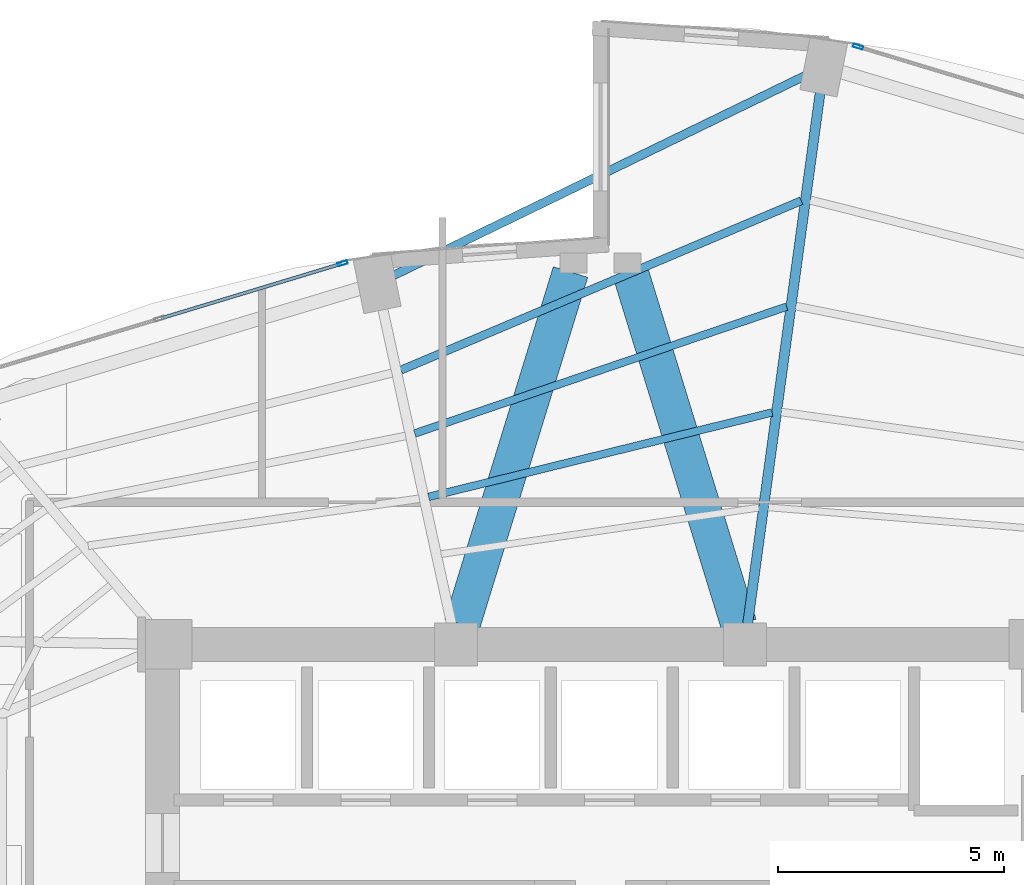
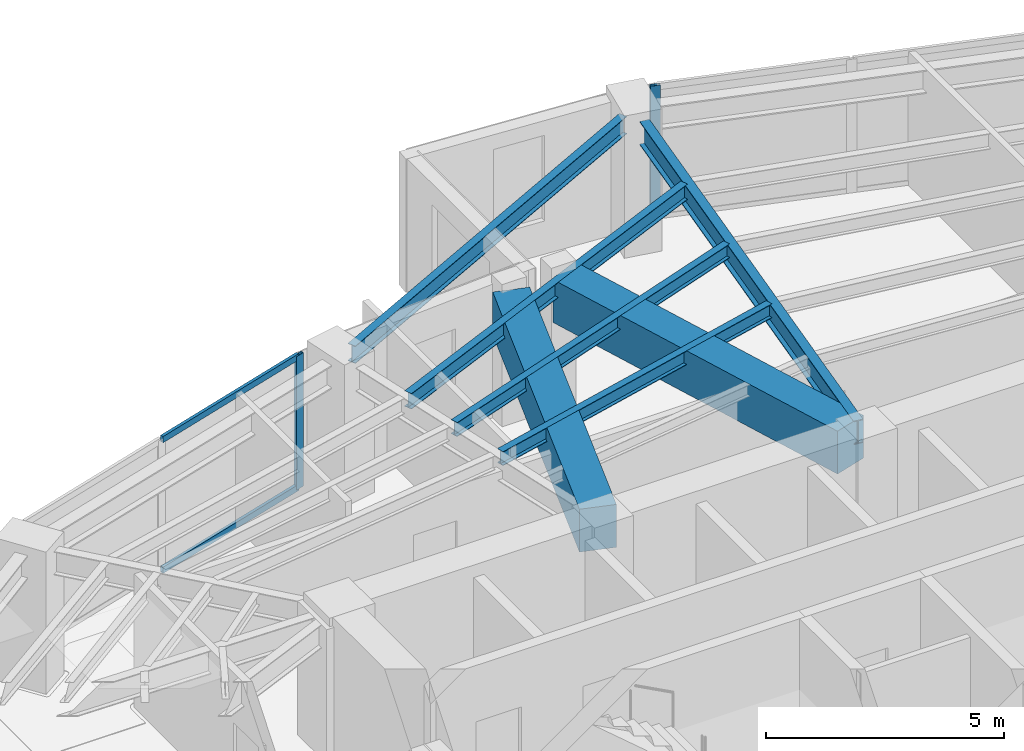
# One storey, part 15 of 23: 7 beams, 4 members, 2 elements without a shape of their own.
"""IFC4 building model written with IfcOpenShell, lengths in metres."""

from ifc_helpers import new_model, si_unit, direction, frame, origin, origin_2d, place, context, subcontext, project, spatial, rectangle, hollow_rectangle, i_section, extrude, material, layer, layer_set, material_profile, profile_set, type_object, element, aggregate, save


model = new_model("IFC4")

# Units and contexts
model_context = context("Model", 3, precision=1e-05, world=origin(), true_north=direction((0.0, 1.0)))
body_context = subcontext(model_context, "Body", "Model", "MODEL_VIEW")
ifc_project = project(units=[si_unit("LENGTHUNIT", "METRE"), si_unit("AREAUNIT", "SQUARE_METRE"), si_unit("VOLUMEUNIT", "CUBIC_METRE"), si_unit("PLANEANGLEUNIT", "RADIAN"), si_unit("MASSUNIT", "GRAM", prefix="KILO")], contexts=[model_context])

# Site, building, storey
site_placement = place(None, origin())
site = spatial("IfcSite", under=ifc_project, at=site_placement, CompositionType="ELEMENT")
building_placement = place(site_placement, origin())
building = spatial("IfcBuilding", under=site, at=building_placement, Name="Lazwardi Medical Tower", CompositionType="ELEMENT")
storey_placement = place(building_placement, frame((0.0, 0.0, 125.52001953125)))
storey = spatial("IfcBuildingStorey", under=building, at=storey_placement, Name="L32", CompositionType="ELEMENT", Elevation=125.52001953125)

# Beams
ifc_material_1 = material(Name="Concrete C70/85", Category="concrete")
ifc_material_profile_1 = material_profile(ifc_material_1, rectangle(XDim=0.800048828125, YDim=1.10009765625, at=origin_2d()), Name="RC 800x1100")
ifc_profile_set_1 = profile_set([ifc_material_profile_1], Name="Concrete C70/85")
beam_type_1 = type_object("IfcBeamType", Name="BM-CB-RC1", PredefinedType="LINTEL", material=ifc_profile_set_1)
for number, where, z_axis, x_axis, name in (
    (1, (32.935302734375, 36.039794921875, 2.8779296875), (0.294073251002, 0.955782884888, 0.0), (-0.955782884888, 0.294073251002, 0.0), "Core coupling lintel CB-01 PL1 L32"),
    (2, (39.064697265625, 36.039794921875, 2.8779296875), (-0.294073251002, 0.955782884888, 0.0), (-0.955782884888, -0.294073251002, 0.0), "Core coupling lintel CB-01 PL2 L32"),
):
    element("IfcBeam", number, at=place(storey_placement, frame(where, z_axis=z_axis, x_axis=x_axis)), inside=storey, type_object=beam_type_1, Name=name, PredefinedType="LINTEL", context=body_context, shape_type="SweptSolid", body=[
        extrude(rectangle(XDim=0.800048828125, YDim=1.10009765625, at=origin_2d()), origin(), (0.0, 0.0, 1.0), 8.1708984375),
    ])
ifc_material_2 = material(Name="Steel S355", Category="steel")
ifc_material_profile_2 = material_profile(ifc_material_2, i_section(OverallWidth=0.219970703125, OverallDepth=0.60009765625, WebThickness=0.011962890625, FlangeThickness=0.01904296875, at=origin_2d()), Name="IPE 600")
ifc_profile_set_2 = profile_set([ifc_material_profile_2], Name="Steel S355")
beam_type_2 = type_object("IfcBeamType", Name="BM-RG-W1", PredefinedType="BEAM", material=ifc_profile_set_2)
beam_1_placement = place(storey_placement, frame((40.8671875, 47.82275390625, 3.1279296875), z_axis=(-0.135147148002, -0.990825538825, 0.0), x_axis=(0.990825538825, -0.135147148002, 0.0)))
element("IfcBeam", 3, at=beam_1_placement, inside=storey, type_object=beam_type_2, Name="Radial girder RG-02 R08 L32", PredefinedType="BEAM", context=body_context, shape_type="SweptSolid", body=[
    extrude(i_section(OverallWidth=0.219970703125, OverallDepth=0.60009765625, WebThickness=0.011962890625, FlangeThickness=0.01904296875, at=origin_2d()), origin(), (0.0, 0.0, 1.0), 11.875732421875),
])
ifc_material_profile_3 = material_profile(ifc_material_2, i_section(OverallWidth=0.179931640625, OverallDepth=0.39990234375, WebThickness=0.008544921875, FlangeThickness=0.013427734375, at=origin_2d()), Name="IPE 400")
ifc_profile_set_3 = profile_set([ifc_material_profile_3], Name="Steel S355")
beam_type_3 = type_object("IfcBeamType", Name="BM-SJ-01", PredefinedType="JOIST", material=ifc_profile_set_3)
beam_2_placement = place(storey_placement, frame((40.449462890625, 45.428466796875, 3.22802734375), z_axis=(-0.920947307957, -0.389687125739, 0.0), x_axis=(0.389687125739, -0.920947307957, 0.0)))
element("IfcBeam", 4, at=beam_2_placement, inside=storey, type_object=beam_type_3, Name="Secondary joist SJ-01 R1 B08 L32", PredefinedType="JOIST", context=body_context, shape_type="SweptSolid", body=[
    extrude(i_section(OverallWidth=0.179931640625, OverallDepth=0.39990234375, WebThickness=0.008544921875, FlangeThickness=0.013427734375, at=origin_2d()), origin(), (0.0, 0.0, 1.0), 9.63134765625),
])
ifc_material_profile_4 = material_profile(ifc_material_2, i_section(OverallWidth=0.169921875, OverallDepth=0.360107421875, WebThickness=0.008056640625, FlangeThickness=0.0126953125, at=origin_2d()), Name="IPE 360")
ifc_profile_set_4 = profile_set([ifc_material_profile_4], Name="Steel S355")
beam_type_4 = type_object("IfcBeamType", Name="BM-SJ-02", PredefinedType="JOIST", material=ifc_profile_set_4)
beam_3_placement = place(storey_placement, frame((40.125732421875, 43.08203125, 3.248046875), z_axis=(-0.946467154368, -0.322800132749, 0.0), x_axis=(0.322800132749, -0.946467154368, 0.0)))
element("IfcBeam", 5, at=beam_3_placement, inside=storey, type_object=beam_type_4, Name="Secondary joist SJ-02 R2 B08 L32", PredefinedType="JOIST", context=body_context, shape_type="SweptSolid", body=[
    extrude(i_section(OverallWidth=0.169921875, OverallDepth=0.360107421875, WebThickness=0.008056640625, FlangeThickness=0.0126953125, at=origin_2d()), origin(), (0.0, 0.0, 1.0), 8.70458984375),
])
beam_4_placement = place(storey_placement, frame((39.80224609375, 40.737548828125, 3.248046875), z_axis=(-0.97107737879, -0.238764998276, 0.0), x_axis=(0.238764998276, -0.97107737879, 0.0)))
element("IfcBeam", 6, at=beam_4_placement, inside=storey, type_object=beam_type_4, Name="Secondary joist SJ-02 R3 B08 L32", PredefinedType="JOIST", context=body_context, shape_type="SweptSolid", body=[
    extrude(i_section(OverallWidth=0.169921875, OverallDepth=0.360107421875, WebThickness=0.008056640625, FlangeThickness=0.0126953125, at=origin_2d()), origin(), (0.0, 0.0, 1.0), 7.83447265625),
])
ifc_material_profile_5 = material_profile(ifc_material_2, i_section(OverallWidth=0.18994140625, OverallDepth=0.449951171875, WebThickness=0.009521484375, FlangeThickness=0.0146484375, at=origin_2d()), Name="IPE 450")
ifc_profile_set_5 = profile_set([ifc_material_profile_5], Name="Steel S355")
beam_type_5 = type_object("IfcBeamType", Name="BM-SP-01", PredefinedType="SPANDREL", material=ifc_profile_set_5)
beam_5_placement = place(storey_placement, frame((40.57666015625, 48.218505859375, 3.202880859375), z_axis=(-0.899653336227, -0.436604941125, 0.0), x_axis=(0.436604941125, -0.899653336227, 0.0)))
element("IfcBeam", 7, at=beam_5_placement, inside=storey, type_object=beam_type_5, Name="Spandrel beam SP-01 B08 L32", PredefinedType="SPANDREL", context=body_context, shape_type="SweptSolid", body=[
    extrude(i_section(OverallWidth=0.18994140625, OverallDepth=0.449951171875, WebThickness=0.009521484375, FlangeThickness=0.0146484375, at=origin_2d()), origin(), (0.0, 0.0, 1.0), 10.17431640625),
])

# Curtain wall, member
ifc_material_3 = material(Name="Anodised bronze aluminium and solar control glazing", Category="aluminium")
ifc_layer = layer(ifc_material_3, 0.195068359375)
ifc_layer_set = layer_set([ifc_layer], Name="Anodised bronze aluminium and solar control glazing")
curtain_wall_type = type_object("IfcCurtainWallType", Name="CW-SYS-03", PredefinedType="NOTDEFINED", material=ifc_layer_set)
curtain_wall_1_placement = place(storey_placement, origin())
curtain_wall_1 = element("IfcCurtainWall", 8, at=curtain_wall_1_placement, inside=storey, type_object=curtain_wall_type, Name="L32 Unitised bronze curtain wall CW-03", PredefinedType="NOTDEFINED")
ifc_material_4 = material(Name="Anodised bronze aluminium", Category="aluminium")
ifc_material_profile_6 = material_profile(ifc_material_4, hollow_rectangle(XDim=0.074951171875, YDim=0.219970703125, WallThickness=0.00390625, at=origin_2d()), Name="ALU-MULLION 220x75x4")
ifc_profile_set_6 = profile_set([ifc_material_profile_6], Name="Anodised bronze aluminium")
member_type_1 = type_object("IfcMemberType", Name="CW-MUL-01", PredefinedType="MULLION", material=ifc_profile_set_6)
member_1_placement = place(storey_placement, frame((41.710205078125, 48.840087890625, 0.0), z_axis=(0.0, 0.0, 1.0), x_axis=(-0.28937381157, -0.957216170558, 0.0)))
member_1 = element("IfcMember", 9, at=member_1_placement, type_object=member_type_1, Name="CW-03 mullion 3", PredefinedType="MULLION", context=body_context, shape_type="SweptSolid", body=[
    extrude(hollow_rectangle(XDim=0.074951171875, YDim=0.219970703125, WallThickness=0.00390625, at=origin_2d()), origin(), (0.0, 0.0, 1.0), 3.427978515625),
])
aggregate(curtain_wall_1, [member_1])

# Curtain wall, members
curtain_wall_2_placement = place(storey_placement, origin())
curtain_wall_2 = element("IfcCurtainWall", 10, at=curtain_wall_2_placement, inside=storey, type_object=curtain_wall_type, Name="L32 Unitised bronze curtain wall CW-03", PredefinedType="NOTDEFINED")
member_2_placement = place(storey_placement, frame((30.289794921875, 44.0400390625, 0.0), z_axis=(0.0, 0.0, 1.0), x_axis=(0.28937381157, -0.957216170558, 0.0)))
member_2 = element("IfcMember", 11, at=member_2_placement, type_object=member_type_1, Name="CW-03 mullion 1", PredefinedType="MULLION", context=body_context, shape_type="SweptSolid", body=[
    extrude(hollow_rectangle(XDim=0.074951171875, YDim=0.219970703125, WallThickness=0.00390625, at=origin_2d()), origin(), (0.0, 0.0, 1.0), 3.427978515625),
])
ifc_material_profile_7 = material_profile(ifc_material_4, hollow_rectangle(XDim=0.074951171875, YDim=0.159912109375, WallThickness=0.00390625, at=origin_2d()), Name="ALU-TRANSOM 160x75x4")
ifc_profile_set_7 = profile_set([ifc_material_profile_7], Name="Anodised bronze aluminium")
member_type_2 = type_object("IfcMemberType", Name="CW-TRN-01", PredefinedType="USERDEFINED", material=ifc_profile_set_7)
member_3_placement = place(storey_placement, frame((30.25390625, 44.029296875, 0.03759765625), z_axis=(-0.957220865985, -0.289358279168, 0.0), x_axis=(0.289358279168, -0.957220865985, 0.0)))
member_3 = element("IfcMember", 12, at=member_3_placement, type_object=member_type_2, Name="CW-03 transom 1.1", ObjectType="TRANSOM", PredefinedType="USERDEFINED", context=body_context, shape_type="SweptSolid", body=[
    extrude(hollow_rectangle(XDim=0.074951171875, YDim=0.159912109375, WallThickness=0.00390625, at=origin_2d()), origin(), (0.0, 0.0, 1.0), 4.16552734375),
])
member_4_placement = place(storey_placement, frame((30.25390625, 44.029296875, 3.390380859375), z_axis=(-0.957220865985, -0.289358279168, 0.0), x_axis=(0.289358279168, -0.957220865985, 0.0)))
member_4 = element("IfcMember", 13, at=member_4_placement, type_object=member_type_2, Name="CW-03 transom 1.2", ObjectType="TRANSOM", PredefinedType="USERDEFINED", context=body_context, shape_type="SweptSolid", body=[
    extrude(hollow_rectangle(XDim=0.074951171875, YDim=0.159912109375, WallThickness=0.00390625, at=origin_2d()), origin(), (0.0, 0.0, 1.0), 4.16552734375),
])
aggregate(curtain_wall_2, [member_2, member_3, member_4])

save(model, "model.ifc")
